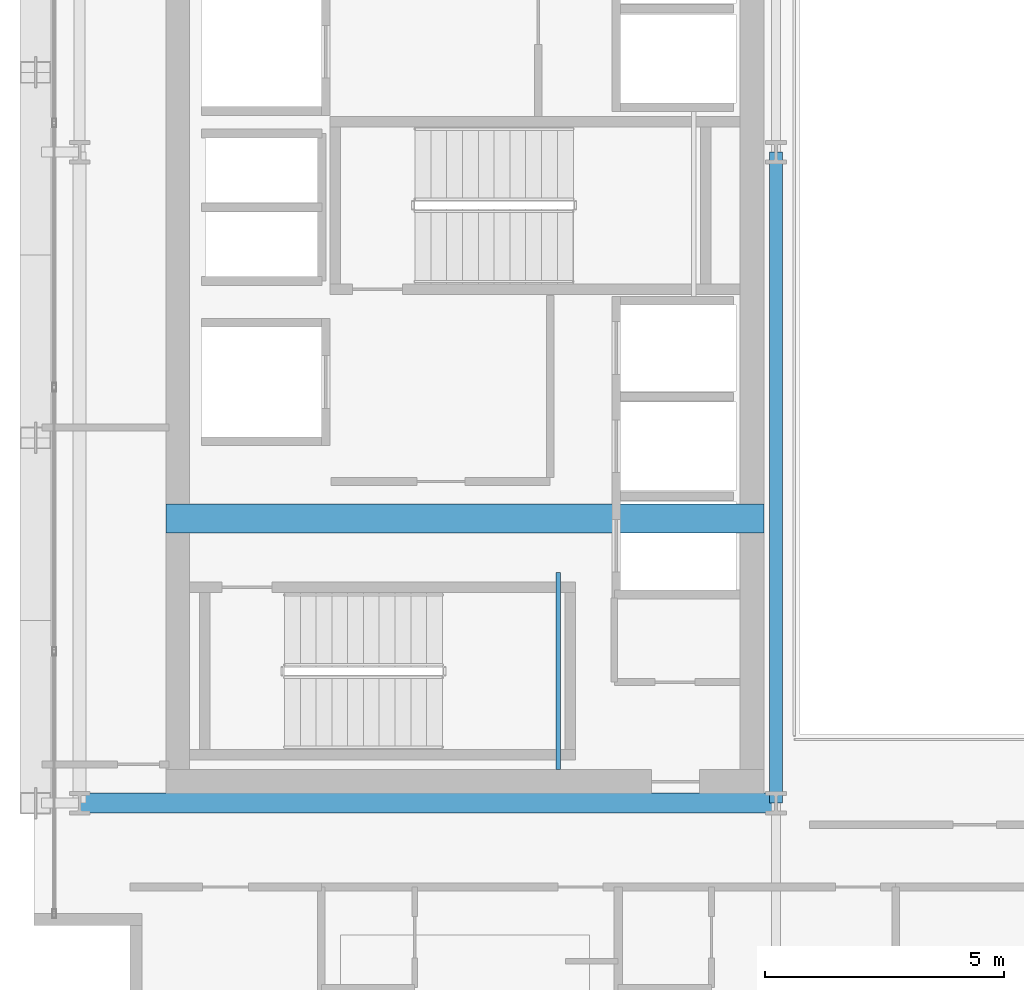
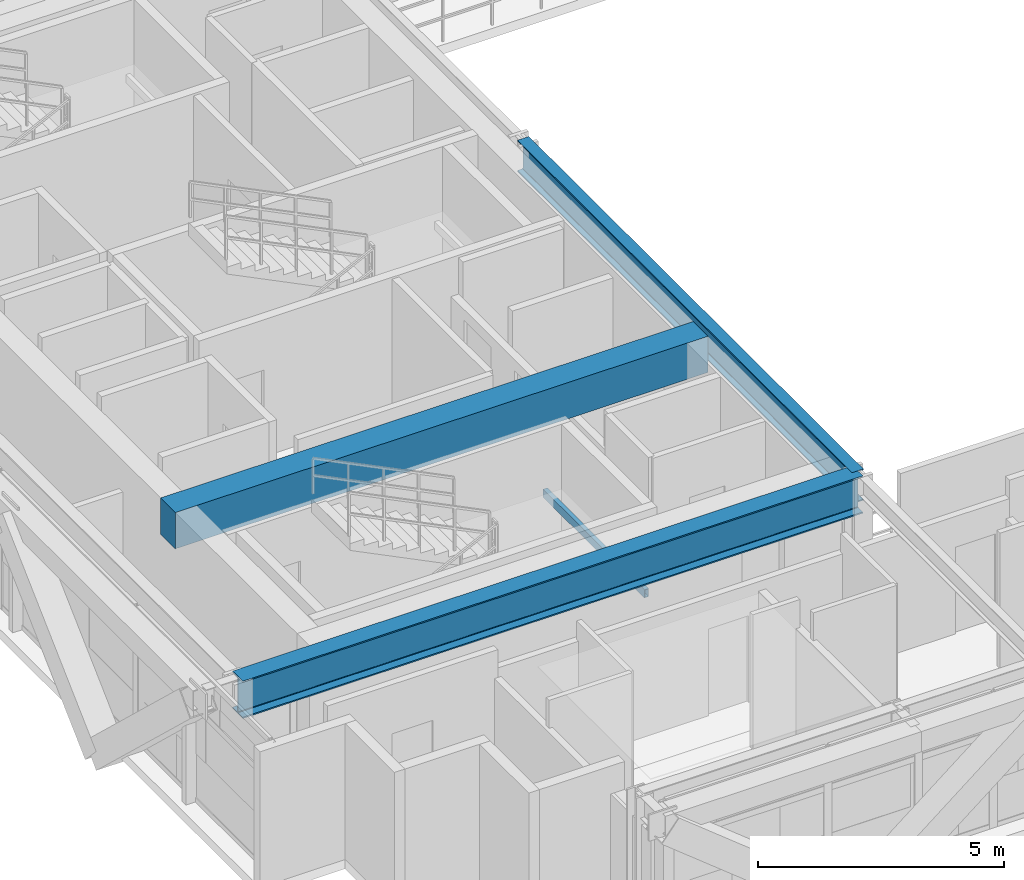
# One storey, part 5 of 32: 4 beams.
"""IFC4 building model written with IfcOpenShell, lengths in metres."""

from ifc_helpers import new_model, si_unit, direction, frame, origin, origin_2d, place, context, subcontext, project, spatial, rectangle, hollow_rectangle, i_section, extrude, source, transform, mapped, material, material_profile, profile_set, type_object, element, save


model = new_model("IFC4")

# Units and contexts
model_context = context("Model", 3, precision=1e-05, world=origin(), true_north=direction((0.0, 1.0)))
body_context = subcontext(model_context, "Body", "Model", "MODEL_VIEW")
ifc_project = project(units=[si_unit("LENGTHUNIT", "METRE"), si_unit("AREAUNIT", "SQUARE_METRE"), si_unit("VOLUMEUNIT", "CUBIC_METRE"), si_unit("PLANEANGLEUNIT", "RADIAN"), si_unit("MASSUNIT", "GRAM", prefix="KILO")], contexts=[model_context])

# Site, building, storey
site_placement = place(None, origin())
site = spatial("IfcSite", under=ifc_project, at=site_placement, CompositionType="ELEMENT")
building_placement = place(site_placement, origin())
building = spatial("IfcBuilding", under=site, at=building_placement, Name="Ocotamira Hotel", CompositionType="ELEMENT")
storey_placement = place(building_placement, frame((0.0, 0.0, 177.60009765625)))
storey = spatial("IfcBuildingStorey", under=building, at=storey_placement, Name="L44", CompositionType="ELEMENT", Elevation=177.60009765625)

# Beams
ifc_material_1 = material(Name="Concrete C50/60", Category="concrete")
ifc_material_profile_1 = material_profile(ifc_material_1, rectangle(XDim=0.60009765625, YDim=0.89990234375, at=origin_2d()), Name="RC600X900")
ifc_profile_set_1 = profile_set([ifc_material_profile_1], Name="Concrete C50/60")
beam_type_1 = type_object("IfcBeamType", Name="BM-LINK-RC600", PredefinedType="LINTEL", material=ifc_profile_set_1)
shared_shape_1 = source(origin(), body_context, "Body", "SweptSolid", [
    extrude(rectangle(XDim=0.60009765625, YDim=0.89990234375, at=origin_2d()), origin(), (0.0, 0.0, 1.0), 12.5),
])
beam_1_placement = place(storey_placement, frame((10.75, 20.5, 2.919921875), z_axis=(1.0, 0.0, 0.0), x_axis=(0.0, 1.0, 0.0)))
element("IfcBeam", 1, at=beam_1_placement, inside=storey, type_object=beam_type_1, Name="L44 West Core Coupling Beam", PredefinedType="LINTEL", context=body_context, shape_type="MappedRepresentation", body=[
    mapped(shared_shape_1, transform((0.0, 0.0, 0.0), scale=1.0)),
])
ifc_material_2 = material(Name="Steel ASTM A500 Grade C", Category="steel")
ifc_material_profile_2 = material_profile(ifc_material_2, hollow_rectangle(XDim=0.10009765625, YDim=0.199951171875, WallThickness=0.008056640625, at=origin_2d()), Name="HSS200X100X8")
ifc_profile_set_2 = profile_set([ifc_material_profile_2], Name="Steel ASTM A500 Grade C")
beam_type_2 = type_object("IfcBeamType", Name="BM-STLDG-HSS200", PredefinedType="BEAM", material=ifc_profile_set_2)
shared_shape_2 = source(origin(), body_context, "Body", "SweptSolid", [
    extrude(hollow_rectangle(XDim=0.10009765625, YDim=0.199951171875, WallThickness=0.008056640625, at=origin_2d()), origin(), (0.0, 0.0, 1.0), 4.1201171875),
])
beam_2_placement = place(storey_placement, frame((18.949951171875, 15.25, 1.5), z_axis=(0.0, 1.0, 0.0), x_axis=(-1.0, 0.0, 0.0)))
element("IfcBeam", 2, at=beam_2_placement, inside=storey, type_object=beam_type_2, Name="L44 Stair ST-1 Landing Bearer 1", PredefinedType="BEAM", context=body_context, shape_type="MappedRepresentation", body=[
    mapped(shared_shape_2, transform((0.0, 0.0, 0.0), scale=1.0)),
])
ifc_material_3 = material(Name="Steel ASTM A992 Grade 50", Category="steel")
ifc_material_profile_3 = material_profile(ifc_material_3, i_section(OverallWidth=0.41796875, OverallDepth=0.927001953125, WebThickness=0.019287109375, FlangeThickness=0.031982421875, FilletRadius=0.02392578125, at=origin_2d()), Name="W36X231")
ifc_profile_set_3 = profile_set([ifc_material_profile_3], Name="Steel ASTM A992 Grade 50")
beam_type_3 = type_object("IfcBeamType", Name="BM-GIRD-W36X231", PredefinedType="BEAM", material=ifc_profile_set_3)
shared_shape_3 = source(origin(), body_context, "Body", "SweptSolid", [
    extrude(i_section(OverallWidth=0.41796875, OverallDepth=0.927001953125, WebThickness=0.019287109375, FlangeThickness=0.031982421875, FilletRadius=0.02392578125, at=origin_2d()), origin(), (0.0, 0.0, 1.0), 14.550048828125),
])
beam_3_placement = place(storey_placement, frame((8.949951171875, 14.550048828125, 2.906494140625), z_axis=(1.0, 0.0, 0.0), x_axis=(0.0, 1.0, 0.0)))
element("IfcBeam", 3, at=beam_3_placement, inside=storey, type_object=beam_type_3, Name="L44 Girder Y14.55 X8.95-23.5", PredefinedType="BEAM", context=body_context, shape_type="MappedRepresentation", body=[
    mapped(shared_shape_3, transform((0.0, 0.0, 0.0), scale=1.0)),
])
ifc_material_profile_4 = material_profile(ifc_material_3, i_section(OverallWidth=0.26611328125, OverallDepth=0.779052734375, WebThickness=0.0166015625, FlangeThickness=0.030029296875, FilletRadius=0.01806640625, at=origin_2d()), Name="W30X148")
ifc_profile_set_4 = profile_set([ifc_material_profile_4], Name="Steel ASTM A992 Grade 50")
beam_type_4 = type_object("IfcBeamType", Name="BM-GIRD-W30X148", PredefinedType="BEAM", material=ifc_profile_set_4)
shared_shape_4 = source(origin(), body_context, "Body", "SweptSolid", [
    extrude(i_section(OverallWidth=0.26611328125, OverallDepth=0.779052734375, WebThickness=0.0166015625, FlangeThickness=0.030029296875, FilletRadius=0.01806640625, at=origin_2d()), origin(), (0.0, 0.0, 1.0), 13.599853515625),
])
beam_4_placement = place(storey_placement, frame((23.5, 14.550048828125, 2.98046875), z_axis=(0.0, 1.0, 0.0), x_axis=(-1.0, 0.0, 0.0)))
element("IfcBeam", 4, at=beam_4_placement, inside=storey, type_object=beam_type_4, Name="L44 Beam X23.5 Y14.55-28.15", PredefinedType="BEAM", context=body_context, shape_type="MappedRepresentation", body=[
    mapped(shared_shape_4, transform((0.0, 0.0, 0.0), scale=1.0)),
])

save(model, "model.ifc")
